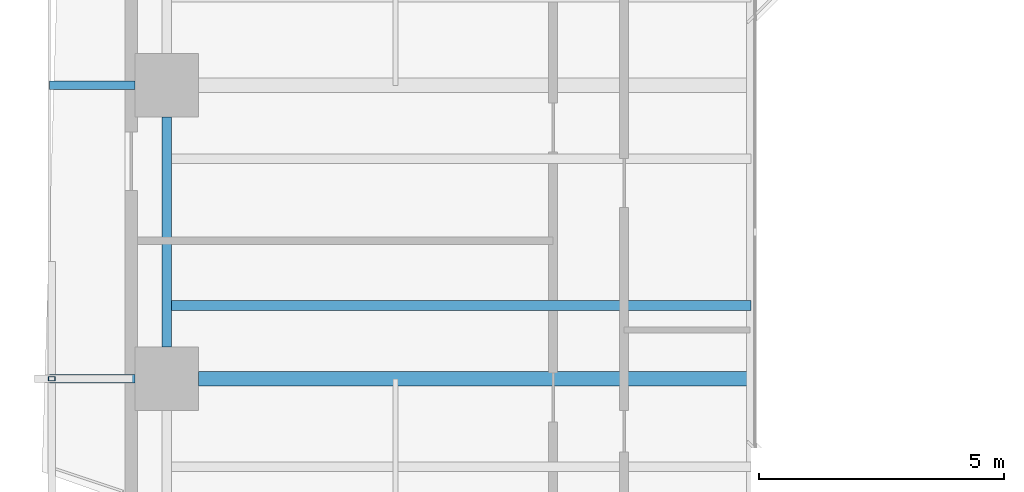
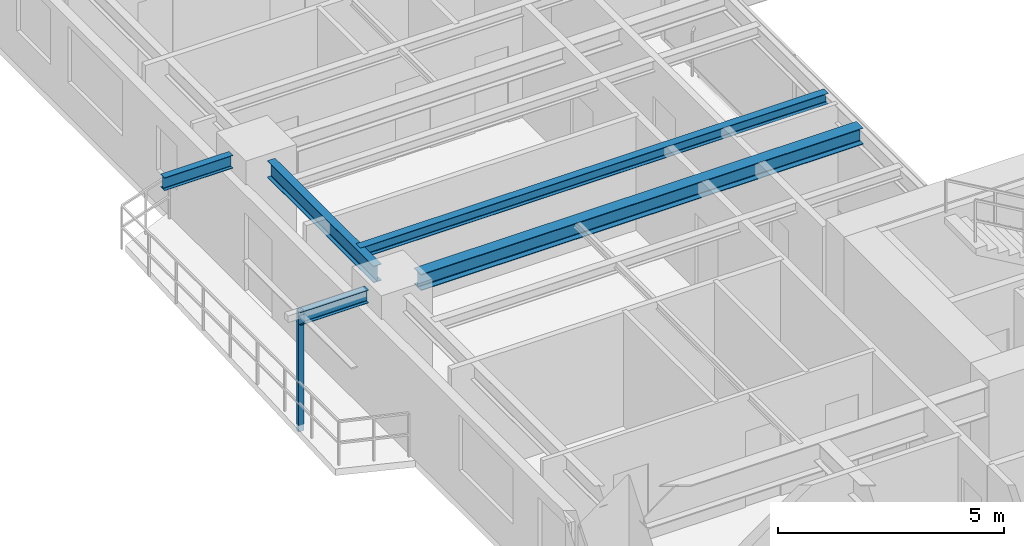
# One storey, part 3 of 24: 5 beams, 1 member.
"""IFC4 building model written with IfcOpenShell, lengths in metres."""

from ifc_helpers import new_model, si_unit, direction, frame, origin, origin_2d, place, context, subcontext, project, spatial, hollow_rectangle, i_section, extrude, source, transform, mapped, material, material_profile, profile_set, type_object, element, save


model = new_model("IFC4")

# Units and contexts
model_context = context("Model", 3, precision=1e-05, world=origin(), true_north=direction((0.0, 1.0)))
body_context = subcontext(model_context, "Body", "Model", "MODEL_VIEW")
ifc_project = project(units=[si_unit("LENGTHUNIT", "METRE"), si_unit("AREAUNIT", "SQUARE_METRE"), si_unit("VOLUMEUNIT", "CUBIC_METRE"), si_unit("PLANEANGLEUNIT", "RADIAN"), si_unit("MASSUNIT", "GRAM", prefix="KILO"), si_unit("THERMODYNAMICTEMPERATUREUNIT", "KELVIN"), si_unit("POWERUNIT", "WATT")], contexts=[model_context])

# Site, building, storey
site_placement = place(None, origin())
site = spatial("IfcSite", under=ifc_project, at=site_placement, CompositionType="ELEMENT")
building_placement = place(site_placement, origin())
building = spatial("IfcBuilding", under=site, at=building_placement, Name="Qiaomeng Ring Towers", CompositionType="ELEMENT")
storey_placement = place(building_placement, frame((0.0, 0.0, 63.25)))
storey = spatial("IfcBuildingStorey", under=building, at=storey_placement, Name="L17", CompositionType="ELEMENT", Elevation=63.25)

# Beams
ifc_material_1 = material(Name="Steel Q355B", Category="steel")
ifc_material_profile_1 = material_profile(ifc_material_1, i_section(OverallWidth=0.199951171875, OverallDepth=0.449951171875, WebThickness=0.009033203125, FlangeThickness=0.013916015625, FilletRadius=0.01806640625, at=origin_2d()), Name="HN 450x200x9x14")
ifc_profile_set_1 = profile_set([ifc_material_profile_1], Name="Steel Q355B")
beam_type_1 = type_object("IfcBeamType", Name="STR-BM-HN450", PredefinedType="SPANDREL", material=ifc_profile_set_1)
shared_shape_1 = source(origin(), body_context, "Body", "SweptSolid", [
    extrude(i_section(OverallWidth=0.199951171875, OverallDepth=0.449951171875, WebThickness=0.009033203125, FlangeThickness=0.013916015625, FilletRadius=0.01806640625, at=origin_2d()), origin(), (0.0, 0.0, 1.0), 4.7021484375),
])
beam_1_placement = place(storey_placement, frame((0.85009765625, 25.35107421875, 2.844970703125), z_axis=(0.0, -1.0, 0.0), x_axis=(1.0, 0.0, 0.0)))
element("IfcBeam", 1, at=beam_1_placement, inside=storey, type_object=beam_type_1, Name="L17 beam STR-SP-L17-T1-W3-W2", PredefinedType="SPANDREL", context=body_context, shape_type="MappedRepresentation", body=[
    mapped(shared_shape_1, transform((0.0, 0.0, 0.0), x_axis=(1.0, 0.0, 0.0), y_axis=(0.0, 1.0, 0.0), z_axis=(0.0, 0.0, 1.0), scale=1.0)),
])
ifc_material_profile_2 = material_profile(ifc_material_1, i_section(OverallWidth=0.300048828125, OverallDepth=0.43994140625, WebThickness=0.010986328125, FlangeThickness=0.01806640625, FilletRadius=0.02392578125, at=origin_2d()), Name="HM 440x300x11x18")
ifc_profile_set_2 = profile_set([ifc_material_profile_2], Name="Steel Q355B")
beam_type_2 = type_object("IfcBeamType", Name="STR-BM-HM440", PredefinedType="BEAM", material=ifc_profile_set_2)
shared_shape_2 = source(origin(), body_context, "Body", "SweptSolid", [
    extrude(i_section(OverallWidth=0.300048828125, OverallDepth=0.43994140625, WebThickness=0.010986328125, FlangeThickness=0.01806640625, FilletRadius=0.02392578125, at=origin_2d()), origin(), (0.0, 0.0, 1.0), 11.301025390625),
])
beam_2_placement = place(storey_placement, frame((1.4990234375, 20.0, 2.85009765625), z_axis=(1.0, 0.0, 0.0), x_axis=(0.0, 1.0, 0.0)))
element("IfcBeam", 2, at=beam_2_placement, inside=storey, type_object=beam_type_2, Name="L17 beam STR-BM-L17-T1-RAD-W2", PredefinedType="BEAM", context=body_context, shape_type="MappedRepresentation", body=[
    mapped(shared_shape_2, transform((0.0, 0.0, 0.0), x_axis=(1.0, 0.0, 0.0), y_axis=(0.0, 1.0, 0.0), z_axis=(0.0, 0.0, 1.0), scale=1.0)),
])
ifc_material_profile_3 = material_profile(ifc_material_1, i_section(OverallWidth=0.199951171875, OverallDepth=0.2939453125, WebThickness=0.008056640625, FlangeThickness=0.011962890625, FilletRadius=0.01806640625, at=origin_2d()), Name="HM 294x200x8x12")
ifc_profile_set_3 = profile_set([ifc_material_profile_3], Name="Steel Q355B")
beam_type_3 = type_object("IfcBeamType", Name="STR-BM-HM294", PredefinedType="JOIST", material=ifc_profile_set_3)
shared_shape_3 = source(origin(), body_context, "Body", "SweptSolid", [
    extrude(i_section(OverallWidth=0.199951171875, OverallDepth=0.2939453125, WebThickness=0.008056640625, FlangeThickness=0.011962890625, FilletRadius=0.01806640625, at=origin_2d()), origin(), (0.0, 0.0, 1.0), 11.949951171875),
])
beam_3_placement = place(storey_placement, frame((0.85009765625, 21.5, 2.923095703125), z_axis=(1.0, 0.0, 0.0), x_axis=(0.0, 1.0, 0.0)))
element("IfcBeam", 3, at=beam_3_placement, inside=storey, type_object=beam_type_3, Name="L17 beam STR-JST-L17-T1W-2", PredefinedType="JOIST", context=body_context, shape_type="MappedRepresentation", body=[
    mapped(shared_shape_3, transform((0.0, 0.0, 0.0), x_axis=(1.0, 0.0, 0.0), y_axis=(0.0, 1.0, 0.0), z_axis=(0.0, 0.0, 1.0), scale=1.0)),
])
ifc_material_profile_4 = material_profile(ifc_material_1, i_section(OverallWidth=0.175048828125, OverallDepth=0.35009765625, WebThickness=0.007080078125, FlangeThickness=0.010986328125, FilletRadius=0.013916015625, at=origin_2d()), Name="HN 350x175x7x11")
ifc_profile_set_4 = profile_set([ifc_material_profile_4], Name="Steel Q355B")
beam_type_4 = type_object("IfcBeamType", Name="STR-BM-HN350", PredefinedType="JOIST", material=ifc_profile_set_4)
shared_shape_4 = source(origin(), body_context, "Body", "SweptSolid", [
    extrude(i_section(OverallWidth=0.175048828125, OverallDepth=0.35009765625, WebThickness=0.007080078125, FlangeThickness=0.010986328125, FilletRadius=0.013916015625, at=origin_2d()), origin(), (0.0, 0.0, 1.0), 1.7509765625),
])
for number, where, z_axis, x_axis, name in (
    (4, (-1.550048828125, 20.0, 2.89501953125), (1.0, 0.0, 0.0), (0.0, 1.0, 0.0), "L17 beam STR-BALBM-L17-W2"),
    (5, (-1.550048828125, 26.0, 2.89501953125), (1.0, 0.0, 0.0), (0.0, 1.0, 0.0), "L17 beam STR-BALBM-L17-W3"),
):
    element("IfcBeam", number, at=place(storey_placement, frame(where, z_axis=z_axis, x_axis=x_axis)), inside=storey, type_object=beam_type_4, Name=name, PredefinedType="JOIST", context=body_context, shape_type="MappedRepresentation", body=[
        mapped(shared_shape_4, transform((0.0, 0.0, 0.0), x_axis=(1.0, 0.0, 0.0), y_axis=(0.0, 1.0, 0.0), z_axis=(0.0, 0.0, 1.0), scale=1.0)),
    ])

# Member
ifc_material_2 = material(Name="Stainless steel 316", Category="steel")
ifc_material_profile_5 = material_profile(ifc_material_2, hollow_rectangle(XDim=0.090087890625, YDim=0.139892578125, WallThickness=0.0048828125, at=origin_2d()), Name="SS TRELLIS 90x140")
ifc_profile_set_5 = profile_set([ifc_material_profile_5], Name="Stainless steel 316")
member_type = type_object("IfcMemberType", Name="ARC-TR-POST1", PredefinedType="STUD", material=ifc_profile_set_5)
shared_shape_5 = source(origin(), body_context, "Body", "SweptSolid", [
    extrude(hollow_rectangle(XDim=0.090087890625, YDim=0.139892578125, WallThickness=0.0048828125, at=origin_2d()), origin(), (0.0, 0.0, 1.0), 3.25),
])
member_placement = place(storey_placement, frame((-1.5, 20.0, -0.179931640625), z_axis=(0.0, 0.0, 1.0), x_axis=(0.0, 1.0, 0.0)))
element("IfcMember", 6, at=member_placement, inside=storey, type_object=member_type, Name="L17 Outer Ventilated Trellis Post W", PredefinedType="STUD", context=body_context, shape_type="MappedRepresentation", body=[
    mapped(shared_shape_5, transform((0.0, 0.0, 0.0), x_axis=(1.0, 0.0, 0.0), y_axis=(0.0, 1.0, 0.0), z_axis=(0.0, 0.0, 1.0), scale=1.0)),
])

save(model, "model.ifc")
